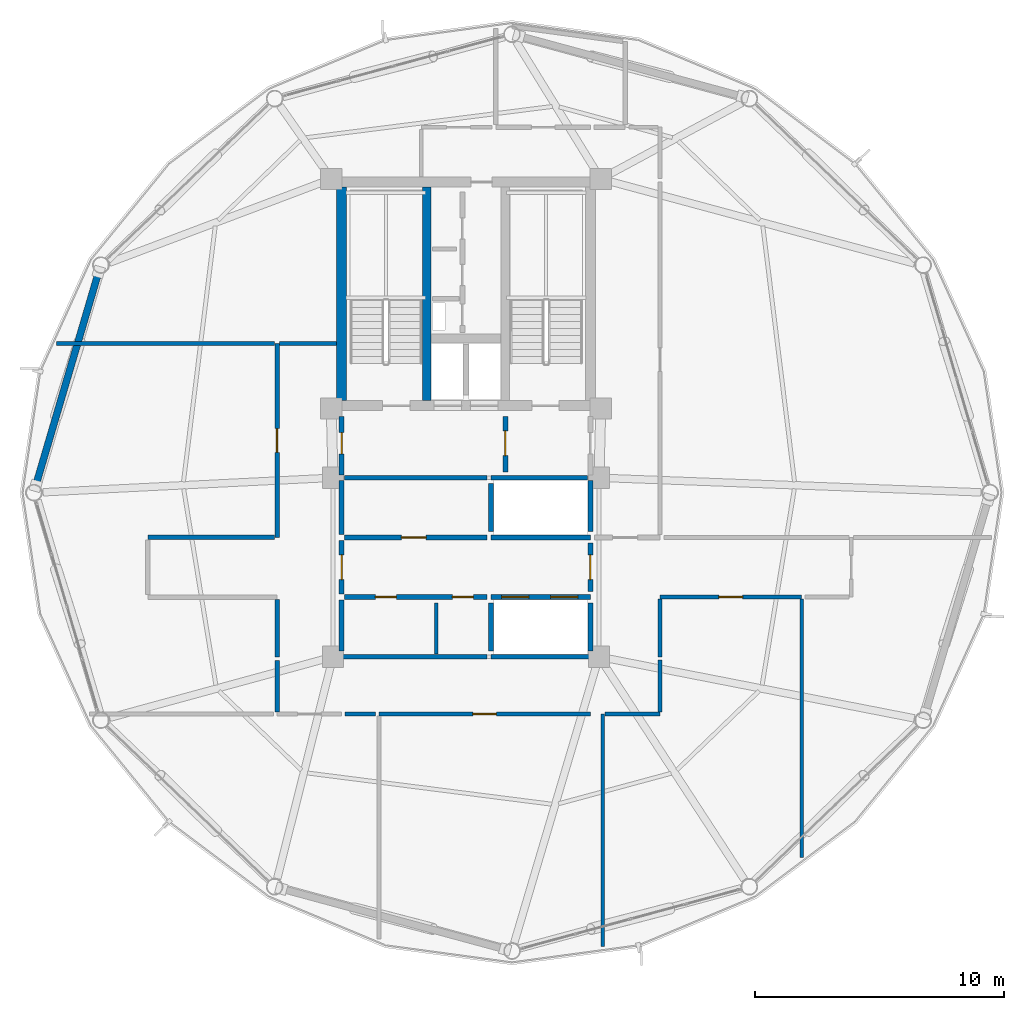
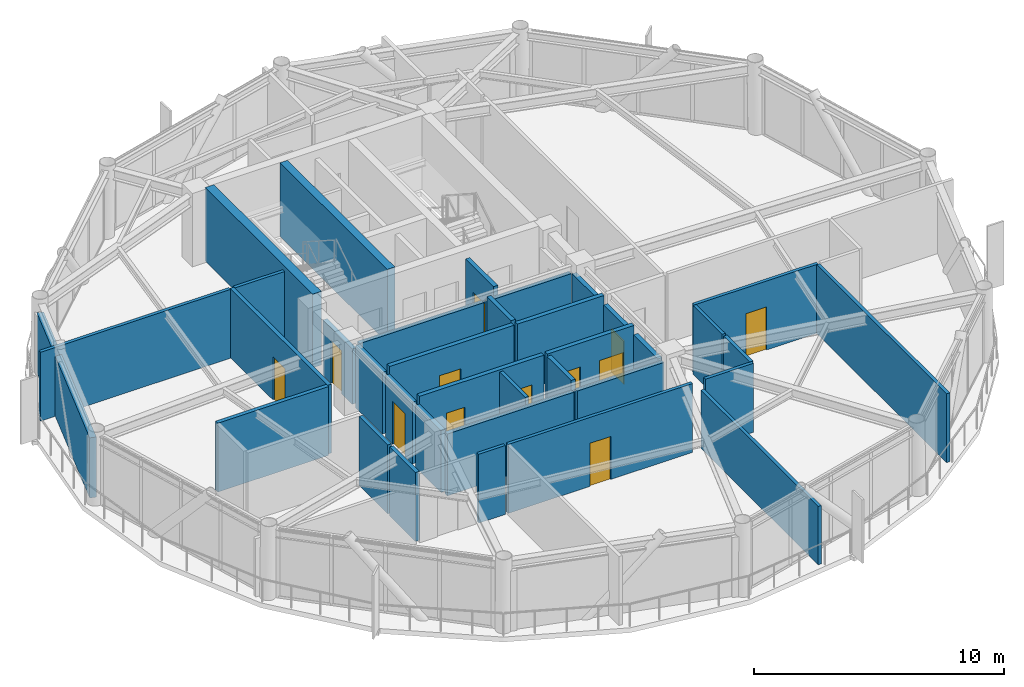
# One storey, part 23 of 28: 36 walls, 12 doors, 12 openings.
"""IFC4 building model written with IfcOpenShell, lengths in metres."""

from ifc_helpers import new_model, si_unit, direction, frame, frame_2d, origin, place, context, subcontext, project, spatial, rectangle, extrude, material, layer, layer_set, type_object, element, fill, save


model = new_model("IFC4")

# Units and contexts
model_context = context("Model", 3, precision=1e-05, world=origin(), true_north=direction((0.0, 1.0)))
body_context = subcontext(model_context, "Body", "Model", "MODEL_VIEW")
ifc_project = project(units=[si_unit("LENGTHUNIT", "METRE"), si_unit("AREAUNIT", "SQUARE_METRE"), si_unit("VOLUMEUNIT", "CUBIC_METRE"), si_unit("PLANEANGLEUNIT", "RADIAN"), si_unit("MASSUNIT", "GRAM", prefix="KILO")], contexts=[model_context])

# Site, building, storey
site_placement = place(None, origin())
site = spatial("IfcSite", under=ifc_project, at=site_placement, CompositionType="ELEMENT")
building_placement = place(site_placement, origin())
building = spatial("IfcBuilding", under=site, at=building_placement, Name="Varnakorn Sky Granary", CompositionType="ELEMENT")
storey_placement = place(building_placement, frame((0.0, 0.0, 207.60009765625)))
storey = spatial("IfcBuildingStorey", under=building, at=storey_placement, Name="L52", CompositionType="ELEMENT", Elevation=207.60009765625)

# Walls
ifc_material_1 = material(Name="Concrete C50/60", Category="concrete")
ifc_layer_1 = layer(ifc_material_1, 0.35009765625, Name="Concrete C50/60")
ifc_layer_set_1 = layer_set([ifc_layer_1], Name="Concrete C50/60")
wall_type_1 = type_object("IfcWallType", Name="WT-CW-INT-350", PredefinedType="SHEAR", material=ifc_layer_set_1)
wall_1_placement = place(storey_placement, frame((1.419921875, 3.7099609375, 0.0), z_axis=(0.0, 0.0, 1.0), x_axis=(0.0, 1.0, 0.0)))
element("IfcWall", 1, at=wall_1_placement, inside=storey, type_object=wall_type_1, Name="Stair ST-1 Core Wall L52", PredefinedType="SHEAR", context=body_context, shape_type="SweptSolid", body=[
    extrude(rectangle(XDim=8.580078125, YDim=0.35009765625, at=frame_2d((4.2900390625, 0.0))), origin(), (0.0, 0.0, 1.0), 3.591796875),
])
ifc_layer_2 = layer(ifc_material_1, 0.39990234375, Name="Concrete C50/60")
ifc_layer_set_2 = layer_set([ifc_layer_2], Name="Concrete C50/60")
wall_type_2 = type_object("IfcWallType", Name="WT-CW-SHEAR-400", PredefinedType="SHEAR", material=ifc_layer_set_2)
wall_2_placement = place(storey_placement, frame((-2.0, 3.7099609375, 0.0), z_axis=(0.0, 0.0, 1.0), x_axis=(0.0, 1.0, 0.0)))
element("IfcWall", 2, at=wall_2_placement, inside=storey, type_object=wall_type_2, Name="Core West Shear Wall L52", PredefinedType="SHEAR", context=body_context, shape_type="SweptSolid", body=[
    extrude(rectangle(XDim=8.580078125, YDim=0.39990234375, at=frame_2d((4.2900390625, 0.0))), origin(), (0.0, 0.0, 1.0), 3.591796875),
])
ifc_material_2 = material(Name="Precast concrete C40/50", Category="concrete")
ifc_layer_3 = layer(ifc_material_2, 0.280029296875, Name="Precast concrete C40/50")
ifc_layer_set_3 = layer_set([ifc_layer_3], Name="Precast concrete C40/50")
wall_type_3 = type_object("IfcWallType", Name="WT-EW-CRN-280", PredefinedType="SOLIDWALL", material=ifc_layer_set_3)
wall_3_placement = place(storey_placement, frame((-14.3095703125, 0.2734375, 0.0), z_axis=(0.0, 0.0, 1.0), x_axis=(0.282359283475, 0.959308727697, 0.0)))
element("IfcWall", 3, at=wall_3_placement, inside=storey, type_object=wall_type_3, Name="Agritech Insulated Precast Facade Wall L52-P06", PredefinedType="SOLIDWALL", context=body_context, shape_type="SweptSolid", body=[
    extrude(rectangle(XDim=8.973388671875, YDim=0.280029296875, at=frame_2d((4.48681640625, 0.0))), origin(), (0.0, 0.0, 1.0), 2.929931640625),
])

# Wall, opening, door
ifc_material_3 = material(Name="Autoclaved Aerated Concrete Blockwork", Category="masonry")
ifc_layer_4 = layer(ifc_material_3, 0.199951171875, Name="Autoclaved Aerated Concrete Blockwork")
ifc_layer_set_4 = layer_set([ifc_layer_4], Name="Autoclaved Aerated Concrete Blockwork")
wall_type_4 = type_object("IfcWallType", Name="WT-FIRE-200", PredefinedType="MOVABLE", material=ifc_layer_set_4)
wall_4_placement = place(storey_placement, frame((4.580078125, 0.830078125, 0.0), z_axis=(0.0, 0.0, 1.0), x_axis=(0.0, 1.0, 0.0)))
wall_4 = element("IfcWall", 4, at=wall_4_placement, inside=storey, type_object=wall_type_4, Name="Interior Partition Wall L52-012", PredefinedType="MOVABLE", context=body_context, shape_type="SweptSolid", body=[
    extrude(rectangle(XDim=2.239990234375, YDim=0.199951171875, at=frame_2d((1.1201171875, 0.0))), origin(), (0.0, 0.0, 1.0), 3.35986328125),
])
opening_1_placement = place(wall_4_placement, frame((0.659912109375, 0.0, 0.0)))
opening_1 = element("IfcOpeningElement", 5, at=opening_1_placement, cuts=wall_4, Name="Opening FD-60", PredefinedType="OPENING", context=body_context, shape_type="SweptSolid", body=[
    extrude(rectangle(XDim=1.0, YDim=2.10009765625, at=frame_2d((0.5, 1.050048828125))), frame((0.0, 0.10986328125, 0.0), z_axis=(0.0, -1.0, 0.0), x_axis=(1.0, 0.0, 0.0)), (0.0, 0.0, 1.0), 0.219970703125),
])
ifc_material_4 = material(Name="Acoustic Timber Fire Leaf", Category="wood")
door_type_1 = type_object("IfcDoorType", Name="DR-FD60-1000", OperationType="NOTDEFINED", PredefinedType="DOOR", material=ifc_material_4)
door_1_placement = place(opening_1_placement, origin())
door_1 = element("IfcDoor", 6, at=door_1_placement, inside=storey, type_object=door_type_1, Name="Interior Door L52-012-1", OperationType="SINGLE_SWING_LEFT", OverallHeight=2.10009765625, OverallWidth=1.0, PredefinedType="DOOR", context=body_context, shape_type="SweptSolid", body=[
    extrude(rectangle(XDim=1.0, YDim=2.10009765625, at=frame_2d((0.5, 1.050048828125))), frame((0.0, 0.02490234375, 0.0), z_axis=(0.0, -1.0, 0.0), x_axis=(1.0, 0.0, 0.0)), (0.0, 0.0, 1.0), 0.050048828125),
])
fill(opening_1, door_1)

wall_5_placement = place(storey_placement, frame((-2.0, 0.719970703125, 0.0), z_axis=(0.0, 0.0, 1.0), x_axis=(0.0, 1.0, 0.0)))
wall_5 = element("IfcWall", 7, at=wall_5_placement, inside=storey, type_object=wall_type_4, Name="Interior Partition Wall L52-013", PredefinedType="MOVABLE", context=body_context, shape_type="SweptSolid", body=[
    extrude(rectangle(XDim=2.35009765625, YDim=0.199951171875, at=frame_2d((1.175048828125, 0.0))), origin(), (0.0, 0.0, 1.0), 2.69189453125),
])
opening_2_placement = place(wall_5_placement, frame((0.844970703125, 0.0, 0.0)))
opening_2 = element("IfcOpeningElement", 8, at=opening_2_placement, cuts=wall_5, Name="Opening FD-60N", PredefinedType="OPENING", context=body_context, shape_type="SweptSolid", body=[
    extrude(rectangle(XDim=0.85009765625, YDim=2.10009765625, at=frame_2d((0.425048828125, 1.050048828125))), frame((0.0, 0.10986328125, 0.0), z_axis=(0.0, -1.0, 0.0), x_axis=(1.0, 0.0, 0.0)), (0.0, 0.0, 1.0), 0.219970703125),
])
door_type_2 = type_object("IfcDoorType", Name="DR-FD60-850", OperationType="NOTDEFINED", PredefinedType="DOOR", material=ifc_material_4)
door_2_placement = place(opening_2_placement, origin())
door_2 = element("IfcDoor", 9, at=door_2_placement, inside=storey, type_object=door_type_2, Name="Interior Door L52-013-1", OperationType="SINGLE_SWING_RIGHT", OverallHeight=2.10009765625, OverallWidth=0.85009765625, PredefinedType="DOOR", context=body_context, shape_type="SweptSolid", body=[
    extrude(rectangle(XDim=0.85009765625, YDim=2.10009765625, at=frame_2d((0.425048828125, 1.050048828125))), frame((0.0, 0.02490234375, 0.0), z_axis=(0.0, -1.0, 0.0), x_axis=(1.0, 0.0, 0.0)), (0.0, 0.0, 1.0), 0.050048828125),
])
fill(opening_2, door_2)

wall_6_placement = place(storey_placement, frame((-2.0, -4.080078125, 0.0), z_axis=(0.0, 0.0, 1.0), x_axis=(0.0, 1.0, 0.0)))
wall_6 = element("IfcWall", 10, at=wall_6_placement, inside=storey, type_object=wall_type_4, Name="Interior Partition Wall L52-015", PredefinedType="MOVABLE", context=body_context, shape_type="SweptSolid", body=[
    extrude(rectangle(XDim=2.16015625, YDim=0.199951171875, at=frame_2d((1.080078125, 0.0))), origin(), (0.0, 0.0, 1.0), 3.011962890625),
])
opening_3_placement = place(wall_6_placement, frame((0.580078125, 0.0, 0.0)))
opening_3 = element("IfcOpeningElement", 11, at=opening_3_placement, cuts=wall_6, Name="Opening FD-60", PredefinedType="OPENING", context=body_context, shape_type="SweptSolid", body=[
    extrude(rectangle(XDim=1.0, YDim=2.10009765625, at=frame_2d((0.5, 1.050048828125))), frame((0.0, 0.10986328125, 0.0), z_axis=(0.0, -1.0, 0.0), x_axis=(1.0, 0.0, 0.0)), (0.0, 0.0, 1.0), 0.219970703125),
])
door_3_placement = place(opening_3_placement, origin())
door_3 = element("IfcDoor", 12, at=door_3_placement, inside=storey, type_object=door_type_1, Name="Interior Door L52-015-1", OperationType="SINGLE_SWING_RIGHT", OverallHeight=2.10009765625, OverallWidth=1.0, PredefinedType="DOOR", context=body_context, shape_type="SweptSolid", body=[
    extrude(rectangle(XDim=1.0, YDim=2.10009765625, at=frame_2d((0.5, 1.050048828125))), frame((0.0, 0.02490234375, 0.0), z_axis=(0.0, -1.0, 0.0), x_axis=(1.0, 0.0, 0.0)), (0.0, 0.0, 1.0), 0.050048828125),
])
fill(opening_3, door_3)

wall_7_placement = place(storey_placement, frame((8.0, -3.969970703125, 0.0), z_axis=(0.0, 0.0, 1.0), x_axis=(0.0, 1.0, 0.0)))
wall_7 = element("IfcWall", 13, at=wall_7_placement, inside=storey, type_object=wall_type_4, Name="Interior Partition Wall L52-016", PredefinedType="MOVABLE", context=body_context, shape_type="SweptSolid", body=[
    extrude(rectangle(XDim=1.93994140625, YDim=0.199951171875, at=frame_2d((0.969970703125, 0.0))), origin(), (0.0, 0.0, 1.0), 3.011962890625),
])
opening_4_placement = place(wall_7_placement, frame((0.469970703125, 0.0, 0.0)))
opening_4 = element("IfcOpeningElement", 14, at=opening_4_placement, cuts=wall_7, Name="Opening FD-60", PredefinedType="OPENING", context=body_context, shape_type="SweptSolid", body=[
    extrude(rectangle(XDim=1.0, YDim=2.10009765625, at=frame_2d((0.5, 1.050048828125))), frame((0.0, 0.10986328125, 0.0), z_axis=(0.0, -1.0, 0.0), x_axis=(1.0, 0.0, 0.0)), (0.0, 0.0, 1.0), 0.219970703125),
])
door_4_placement = place(opening_4_placement, origin())
door_4 = element("IfcDoor", 15, at=door_4_placement, inside=storey, type_object=door_type_1, Name="Interior Door L52-016-1", OperationType="SINGLE_SWING_LEFT", OverallHeight=2.10009765625, OverallWidth=1.0, PredefinedType="DOOR", context=body_context, shape_type="SweptSolid", body=[
    extrude(rectangle(XDim=1.0, YDim=2.10009765625, at=frame_2d((0.5, 1.050048828125))), frame((0.0, 0.02490234375, 0.0), z_axis=(0.0, -1.0, 0.0), x_axis=(1.0, 0.0, 0.0)), (0.0, 0.0, 1.0), 0.050048828125),
])
fill(opening_4, door_4)

wall_8_placement = place(storey_placement, frame((-1.889892578125, -1.800048828125, 0.0), z_axis=(0.0, 0.0, 1.0), x_axis=(1.0, 0.0, 0.0)))
wall_8 = element("IfcWall", 16, at=wall_8_placement, inside=storey, type_object=wall_type_4, Name="Interior Partition Wall L52-017", PredefinedType="MOVABLE", context=body_context, shape_type="SweptSolid", body=[
    extrude(rectangle(XDim=5.72998046875, YDim=0.199951171875, at=frame_2d((2.864990234375, 0.0))), origin(), (0.0, 0.0, 1.0), 3.35986328125),
])
opening_5_placement = place(wall_8_placement, frame((2.2900390625, 0.0, 0.0)))
opening_5 = element("IfcOpeningElement", 17, at=opening_5_placement, cuts=wall_8, Name="Opening FD-60", PredefinedType="OPENING", context=body_context, shape_type="SweptSolid", body=[
    extrude(rectangle(XDim=1.0, YDim=2.10009765625, at=frame_2d((0.5, 1.050048828125))), frame((0.0, 0.10986328125, 0.0), z_axis=(0.0, -1.0, 0.0), x_axis=(1.0, 0.0, 0.0)), (0.0, 0.0, 1.0), 0.219970703125),
])
door_5_placement = place(opening_5_placement, origin())
door_5 = element("IfcDoor", 18, at=door_5_placement, inside=storey, type_object=door_type_1, Name="Interior Door L52-017-1", OperationType="SINGLE_SWING_RIGHT", OverallHeight=2.10009765625, OverallWidth=1.0, PredefinedType="DOOR", context=body_context, shape_type="SweptSolid", body=[
    extrude(rectangle(XDim=1.0, YDim=2.10009765625, at=frame_2d((0.5, 1.050048828125))), frame((0.0, 0.02490234375, 0.0), z_axis=(0.0, -1.0, 0.0), x_axis=(1.0, 0.0, 0.0)), (0.0, 0.0, 1.0), 0.050048828125),
])
fill(opening_5, door_5)

# Wall, openings, doors
wall_9_placement = place(storey_placement, frame((-1.889892578125, -4.199951171875, 0.0), z_axis=(0.0, 0.0, 1.0), x_axis=(1.0, 0.0, 0.0)))
wall_9 = element("IfcWall", 19, at=wall_9_placement, inside=storey, type_object=wall_type_4, Name="Interior Partition Wall L52-018", PredefinedType="MOVABLE", context=body_context, shape_type="SweptSolid", body=[
    extrude(rectangle(XDim=5.72998046875, YDim=0.199951171875, at=frame_2d((2.864990234375, 0.0))), origin(), (0.0, 0.0, 1.0), 3.35986328125),
])
opening_6_placement = place(wall_9_placement, frame((1.239990234375, 0.0, 0.0)))
opening_6 = element("IfcOpeningElement", 20, at=opening_6_placement, cuts=wall_9, Name="Opening FD-60N", PredefinedType="OPENING", context=body_context, shape_type="SweptSolid", body=[
    extrude(rectangle(XDim=0.85009765625, YDim=2.10009765625, at=frame_2d((0.425048828125, 1.050048828125))), frame((0.0, 0.10986328125, 0.0), z_axis=(0.0, -1.0, 0.0), x_axis=(1.0, 0.0, 0.0)), (0.0, 0.0, 1.0), 0.219970703125),
])
opening_7_placement = place(wall_9_placement, frame((4.340087890625, 0.0, 0.0)))
opening_7 = element("IfcOpeningElement", 21, at=opening_7_placement, cuts=wall_9, Name="Opening FD-60N", PredefinedType="OPENING", context=body_context, shape_type="SweptSolid", body=[
    extrude(rectangle(XDim=0.85009765625, YDim=2.10009765625, at=frame_2d((0.425048828125, 1.050048828125))), frame((0.0, 0.10986328125, 0.0), z_axis=(0.0, -1.0, 0.0), x_axis=(1.0, 0.0, 0.0)), (0.0, 0.0, 1.0), 0.219970703125),
])
door_6_placement = place(opening_6_placement, origin())
door_6 = element("IfcDoor", 22, at=door_6_placement, inside=storey, type_object=door_type_2, Name="Interior Door L52-018-1", OperationType="SINGLE_SWING_LEFT", OverallHeight=2.10009765625, OverallWidth=0.85009765625, PredefinedType="DOOR", context=body_context, shape_type="SweptSolid", body=[
    extrude(rectangle(XDim=0.85009765625, YDim=2.10009765625, at=frame_2d((0.425048828125, 1.050048828125))), frame((0.0, 0.02490234375, 0.0), z_axis=(0.0, -1.0, 0.0), x_axis=(1.0, 0.0, 0.0)), (0.0, 0.0, 1.0), 0.050048828125),
])
fill(opening_6, door_6)
door_7_placement = place(opening_7_placement, origin())
door_7 = element("IfcDoor", 23, at=door_7_placement, inside=storey, type_object=door_type_2, Name="Interior Door L52-018-2", OperationType="SINGLE_SWING_RIGHT", OverallHeight=2.10009765625, OverallWidth=0.85009765625, PredefinedType="DOOR", context=body_context, shape_type="SweptSolid", body=[
    extrude(rectangle(XDim=0.85009765625, YDim=2.10009765625, at=frame_2d((0.425048828125, 1.050048828125))), frame((0.0, 0.02490234375, 0.0), z_axis=(0.0, -1.0, 0.0), x_axis=(1.0, 0.0, 0.0)), (0.0, 0.0, 1.0), 0.050048828125),
])
fill(opening_7, door_7)

# Walls
wall_10_placement = place(storey_placement, frame((-1.8798828125, 0.60009765625, 0.0), z_axis=(0.0, 0.0, 1.0), x_axis=(1.0, 0.0, 0.0)))
element("IfcWall", 24, at=wall_10_placement, inside=storey, type_object=wall_type_4, Name="Interior Partition Wall L52-029", PredefinedType="MOVABLE", context=body_context, shape_type="SweptSolid", body=[
    extrude(rectangle(XDim=5.719970703125, YDim=0.199951171875, at=frame_2d((2.85986328125, 0.0))), origin(), (0.0, 0.0, 1.0), 3.011962890625),
])
wall_11_placement = place(storey_placement, frame((-2.0, -1.679931640625, 0.0), z_axis=(0.0, 0.0, 1.0), x_axis=(0.0, 1.0, 0.0)))
element("IfcWall", 25, at=wall_11_placement, inside=storey, type_object=wall_type_4, Name="Interior Partition Wall L52-030", PredefinedType="MOVABLE", context=body_context, shape_type="SweptSolid", body=[
    extrude(rectangle(XDim=2.159912109375, YDim=0.199951171875, at=frame_2d((1.080078125, 0.0))), origin(), (0.0, 0.0, 1.0), 3.011962890625),
])
wall_12_placement = place(storey_placement, frame((-2.0, -6.60009765625, 0.0), z_axis=(0.0, 0.0, 1.0), x_axis=(1.0, 0.0, 0.0)))
element("IfcWall", 26, at=wall_12_placement, inside=storey, type_object=wall_type_4, Name="Interior Partition Wall L52-032", PredefinedType="MOVABLE", context=body_context, shape_type="SweptSolid", body=[
    extrude(rectangle(XDim=5.840087890625, YDim=0.199951171875, at=frame_2d((2.919921875, 0.0))), origin(), (0.0, 0.0, 1.0), 3.011962890625),
])
wall_13_placement = place(storey_placement, frame((-2.0, -6.3701171875, 0.0), z_axis=(0.0, 0.0, 1.0), x_axis=(0.0, 1.0, 0.0)))
element("IfcWall", 27, at=wall_13_placement, inside=storey, type_object=wall_type_4, Name="Interior Partition Wall L52-033", PredefinedType="MOVABLE", context=body_context, shape_type="SweptSolid", body=[
    extrude(rectangle(XDim=2.050048828125, YDim=0.199951171875, at=frame_2d((1.02490234375, 0.0))), origin(), (0.0, 0.0, 1.0), 3.011962890625),
])

# Wall, opening, door
ifc_material_5 = material(Name="Gypsum Plasterboard on Steel Stud", Category="steel")
ifc_layer_5 = layer(ifc_material_5, 0.14990234375, Name="Gypsum Plasterboard on Steel Stud")
ifc_layer_set_5 = layer_set([ifc_layer_5], Name="Gypsum Plasterboard on Steel Stud")
wall_type_5 = type_object("IfcWallType", Name="WT-PART-150", PredefinedType="PARTITIONING", material=ifc_layer_set_5)
wall_14_placement = place(storey_placement, frame((-0.5, -8.89990234375, 0.0), z_axis=(0.0, 0.0, 1.0), x_axis=(1.0, 0.0, 0.0)))
wall_14 = element("IfcWall", 28, at=wall_14_placement, inside=storey, type_object=wall_type_5, Name="Interior Partition Wall L52-022", PredefinedType="PARTITIONING", context=body_context, shape_type="SweptSolid", body=[
    extrude(rectangle(XDim=8.5, YDim=0.14990234375, at=frame_2d((4.25, 0.0))), origin(), (0.0, 0.0, 1.0), 3.35986328125),
])
opening_8_placement = place(wall_14_placement, frame((3.77490234375, 0.0, 0.0)))
opening_8 = element("IfcOpeningElement", 29, at=opening_8_placement, cuts=wall_14, Name="Opening ID-95", PredefinedType="OPENING", context=body_context, shape_type="SweptSolid", body=[
    extrude(rectangle(XDim=0.949951171875, YDim=2.10009765625, at=frame_2d((0.47509765625, 1.050048828125))), frame((0.0, 0.0849609375, 0.0), z_axis=(0.0, -1.0, 0.0), x_axis=(1.0, 0.0, 0.0)), (0.0, 0.0, 1.0), 0.169921875),
])
ifc_material_6 = material(Name="Solid-Core Teak Veneer Leaf", Category="timber")
door_type_3 = type_object("IfcDoorType", Name="DR-INT-950", OperationType="NOTDEFINED", PredefinedType="DOOR", material=ifc_material_6)
door_8_placement = place(opening_8_placement, origin())
door_8 = element("IfcDoor", 30, at=door_8_placement, inside=storey, type_object=door_type_3, Name="Interior Door L52-022-1", OperationType="SINGLE_SWING_RIGHT", OverallHeight=2.10009765625, OverallWidth=0.949951171875, PredefinedType="DOOR", context=body_context, shape_type="SweptSolid", body=[
    extrude(rectangle(XDim=0.949951171875, YDim=2.10009765625, at=frame_2d((0.47509765625, 1.050048828125))), frame((0.0, 0.02490234375, 0.0), z_axis=(0.0, -1.0, 0.0), x_axis=(1.0, 0.0, 0.0)), (0.0, 0.0, 1.0), 0.050048828125),
])
fill(opening_8, door_8)

wall_15_placement = place(storey_placement, frame((10.800048828125, -4.199951171875, 0.0), z_axis=(0.0, 0.0, 1.0), x_axis=(1.0, 0.0, 0.0)))
wall_15 = element("IfcWall", 31, at=wall_15_placement, inside=storey, type_object=wall_type_5, Name="Interior Partition Wall L52-023", PredefinedType="PARTITIONING", context=body_context, shape_type="SweptSolid", body=[
    extrude(rectangle(XDim=5.699951171875, YDim=0.14990234375, at=frame_2d((2.85009765625, 0.0))), origin(), (0.0, 0.0, 1.0), 3.35986328125),
])
opening_9_placement = place(wall_15_placement, frame((2.375, 0.0, 0.0)))
opening_9 = element("IfcOpeningElement", 32, at=opening_9_placement, cuts=wall_15, Name="Opening ID-95", PredefinedType="OPENING", context=body_context, shape_type="SweptSolid", body=[
    extrude(rectangle(XDim=0.949951171875, YDim=2.10009765625, at=frame_2d((0.47509765625, 1.050048828125))), frame((0.0, 0.0849609375, 0.0), z_axis=(0.0, -1.0, 0.0), x_axis=(1.0, 0.0, 0.0)), (0.0, 0.0, 1.0), 0.169921875),
])
door_9_placement = place(opening_9_placement, origin())
door_9 = element("IfcDoor", 33, at=door_9_placement, inside=storey, type_object=door_type_3, Name="Interior Door L52-023-1", OperationType="SINGLE_SWING_LEFT", OverallHeight=2.10009765625, OverallWidth=0.949951171875, PredefinedType="DOOR", context=body_context, shape_type="SweptSolid", body=[
    extrude(rectangle(XDim=0.949951171875, YDim=2.10009765625, at=frame_2d((0.47509765625, 1.050048828125))), frame((0.0, 0.02490234375, 0.0), z_axis=(0.0, -1.0, 0.0), x_axis=(1.0, 0.0, 0.0)), (0.0, 0.0, 1.0), 0.050048828125),
])
fill(opening_9, door_9)

# Walls
wall_16_placement = place(storey_placement, frame((1.800048828125, -6.47998046875, 0.0), z_axis=(0.0, 0.0, 1.0), x_axis=(0.0, 1.0, 0.0)))
element("IfcWall", 34, at=wall_16_placement, inside=storey, type_object=wall_type_5, Name="Interior Partition Wall L52-031", PredefinedType="PARTITIONING", context=body_context, shape_type="SweptSolid", body=[
    extrude(rectangle(XDim=2.050048828125, YDim=0.14990234375, at=frame_2d((1.02490234375, 0.0))), origin(), (0.0, 0.0, 1.0), 3.35986328125),
])
wall_17_placement = place(storey_placement, frame((-1.864990234375, -8.89990234375, 0.0), z_axis=(0.0, 0.0, 1.0), x_axis=(1.0, 0.0, 0.0)))
element("IfcWall", 35, at=wall_17_placement, inside=storey, type_object=wall_type_5, Name="Interior Partition Wall L52-035", PredefinedType="PARTITIONING", context=body_context, shape_type="SweptSolid", body=[
    extrude(rectangle(XDim=1.22998046875, YDim=0.14990234375, at=frame_2d((0.614990234375, 0.0))), origin(), (0.0, 0.0, 1.0), 3.35986328125),
])
wall_18_placement = place(storey_placement, frame((8.5, -8.89990234375, 0.0), z_axis=(0.0, 0.0, 1.0), x_axis=(0.0, -1.0, 0.0)))
element("IfcWall", 36, at=wall_18_placement, inside=storey, type_object=wall_type_5, Name="Interior Partition Wall L52-038", PredefinedType="PARTITIONING", context=body_context, shape_type="SweptSolid", body=[
    extrude(rectangle(XDim=9.362060546875, YDim=0.14990234375, at=frame_2d((4.68115234375, 0.0))), origin(), (0.0, 0.0, 1.0), 2.841796875),
])
wall_19_placement = place(storey_placement, frame((10.800048828125, -6.60009765625, 0.0), z_axis=(0.0, 0.0, 1.0), x_axis=(0.0, 1.0, 0.0)))
element("IfcWall", 37, at=wall_19_placement, inside=storey, type_object=wall_type_5, Name="Interior Partition Wall L52-039", PredefinedType="PARTITIONING", context=body_context, shape_type="SweptSolid", body=[
    extrude(rectangle(XDim=2.315185546875, YDim=0.14990234375, at=frame_2d((1.15771484375, 0.0))), origin(), (0.0, 0.0, 1.0), 3.35986328125),
])
wall_20_placement = place(storey_placement, frame((8.5849609375, -8.89990234375, 0.0), z_axis=(0.0, 0.0, 1.0), x_axis=(1.0, 0.0, 0.0)))
element("IfcWall", 38, at=wall_20_placement, inside=storey, type_object=wall_type_5, Name="Interior Partition Wall L52-040", PredefinedType="PARTITIONING", context=body_context, shape_type="SweptSolid", body=[
    extrude(rectangle(XDim=2.215087890625, YDim=0.14990234375, at=frame_2d((1.107421875, 0.0))), origin(), (0.0, 0.0, 1.0), 3.35986328125),
])
wall_21_placement = place(storey_placement, frame((10.800048828125, -8.81494140625, 0.0), z_axis=(0.0, 0.0, 1.0), x_axis=(0.0, 1.0, 0.0)))
element("IfcWall", 39, at=wall_21_placement, inside=storey, type_object=wall_type_5, Name="Interior Partition Wall L52-041", PredefinedType="PARTITIONING", context=body_context, shape_type="SweptSolid", body=[
    extrude(rectangle(XDim=2.079833984375, YDim=0.14990234375, at=frame_2d((1.0400390625, 0.0))), origin(), (0.0, 0.0, 1.0), 3.35986328125),
])
wall_22_placement = place(storey_placement, frame((16.5, -4.284912109375, 0.0), z_axis=(0.0, 0.0, 1.0), x_axis=(0.0, -1.0, 0.0)))
element("IfcWall", 40, at=wall_22_placement, inside=storey, type_object=wall_type_5, Name="Interior Partition Wall L52-042", PredefinedType="PARTITIONING", context=body_context, shape_type="SweptSolid", body=[
    extrude(rectangle(XDim=10.384033203125, YDim=0.14990234375, at=frame_2d((5.19189453125, 0.0))), origin(), (0.0, 0.0, 1.0), 3.35986328125),
])
wall_23_placement = place(storey_placement, frame((-13.465087890625, 6.0, 0.0), z_axis=(0.0, 0.0, 1.0), x_axis=(1.0, 0.0, 0.0)))
element("IfcWall", 41, at=wall_23_placement, inside=storey, type_object=wall_type_5, Name="Interior Partition Wall L52-050", PredefinedType="PARTITIONING", context=body_context, shape_type="SweptSolid", body=[
    extrude(rectangle(XDim=8.76513671875, YDim=0.14990234375, at=frame_2d((4.382568359375, 0.0))), origin(), (0.0, 0.0, 1.0), 3.35986328125),
])
wall_24_placement = place(storey_placement, frame((-2.2099609375, 6.0, 0.0), z_axis=(0.0, 0.0, 1.0), x_axis=(-1.0, 0.0, 0.0)))
element("IfcWall", 42, at=wall_24_placement, inside=storey, type_object=wall_type_5, Name="Interior Partition Wall L52-052", PredefinedType="PARTITIONING", context=body_context, shape_type="SweptSolid", body=[
    extrude(rectangle(XDim=2.2900390625, YDim=0.14990234375, at=frame_2d((1.14501953125, 0.0))), origin(), (0.0, 0.0, 1.0), 3.35986328125),
])

# Wall, opening, door
ifc_material_7 = material(Name="Moisture-Resistant Gypsum on Stud", Category="gypsum")
ifc_layer_6 = layer(ifc_material_7, 0.179931640625, Name="Moisture-Resistant Gypsum on Stud")
ifc_layer_set_6 = layer_set([ifc_layer_6], Name="Moisture-Resistant Gypsum on Stud")
wall_type_6 = type_object("IfcWallType", Name="WT-PLUMB-180", PredefinedType="PLUMBINGWALL", material=ifc_layer_set_6)
wall_25_placement = place(storey_placement, frame((-4.60009765625, 6.0, 0.0), z_axis=(0.0, 0.0, 1.0), x_axis=(0.0, -1.0, 0.0)))
wall_25 = element("IfcWall", 43, at=wall_25_placement, inside=storey, type_object=wall_type_6, Name="Interior Partition Wall L52-025", PredefinedType="PLUMBINGWALL", context=body_context, shape_type="SweptSolid", body=[
    extrude(rectangle(XDim=7.800048828125, YDim=0.179931640625, at=frame_2d((3.89990234375, 0.0))), origin(), (0.0, 0.0, 1.0), 3.35986328125),
])
opening_10_placement = place(wall_25_placement, frame((3.425048828125, 0.0, 0.0)))
opening_10 = element("IfcOpeningElement", 44, at=opening_10_placement, cuts=wall_25, Name="Opening ID-95", PredefinedType="OPENING", context=body_context, shape_type="SweptSolid", body=[
    extrude(rectangle(XDim=0.949951171875, YDim=2.10009765625, at=frame_2d((0.47509765625, 1.050048828125))), frame((0.0, 0.10009765625, 0.0), z_axis=(0.0, -1.0, 0.0), x_axis=(1.0, 0.0, 0.0)), (0.0, 0.0, 1.0), 0.199951171875),
])
door_10_placement = place(opening_10_placement, origin())
door_10 = element("IfcDoor", 45, at=door_10_placement, inside=storey, type_object=door_type_3, Name="Interior Door L52-025-1", OperationType="SINGLE_SWING_LEFT", OverallHeight=2.10009765625, OverallWidth=0.949951171875, PredefinedType="DOOR", context=body_context, shape_type="SweptSolid", body=[
    extrude(rectangle(XDim=0.949951171875, YDim=2.10009765625, at=frame_2d((0.47509765625, 1.050048828125))), frame((0.0, 0.02490234375, 0.0), z_axis=(0.0, -1.0, 0.0), x_axis=(1.0, 0.0, 0.0)), (0.0, 0.0, 1.0), 0.050048828125),
])
fill(opening_10, door_10)

# Walls
wall_26_placement = place(storey_placement, frame((-4.699951171875, -1.800048828125, 0.0), z_axis=(0.0, 0.0, 1.0), x_axis=(-1.0, 0.0, 0.0)))
element("IfcWall", 46, at=wall_26_placement, inside=storey, type_object=wall_type_6, Name="Interior Partition Wall L52-045", PredefinedType="PLUMBINGWALL", context=body_context, shape_type="SweptSolid", body=[
    extrude(rectangle(XDim=5.10009765625, YDim=0.179931640625, at=frame_2d((2.550048828125, 0.0))), origin(), (0.0, 0.0, 1.0), 3.35986328125),
])
wall_27_placement = place(storey_placement, frame((-4.60009765625, -4.300048828125, 0.0), z_axis=(0.0, 0.0, 1.0), x_axis=(0.0, -1.0, 0.0)))
element("IfcWall", 47, at=wall_27_placement, inside=storey, type_object=wall_type_6, Name="Interior Partition Wall L52-048", PredefinedType="PLUMBINGWALL", context=body_context, shape_type="SweptSolid", body=[
    extrude(rectangle(XDim=2.300048828125, YDim=0.179931640625, at=frame_2d((1.14990234375, 0.0))), origin(), (0.0, 0.0, 1.0), 3.35986328125),
])
wall_28_placement = place(storey_placement, frame((-4.60009765625, -6.75, 0.0), z_axis=(0.0, 0.0, 1.0), x_axis=(0.0, -1.0, 0.0)))
element("IfcWall", 48, at=wall_28_placement, inside=storey, type_object=wall_type_6, Name="Interior Partition Wall L52-049", PredefinedType="PLUMBINGWALL", context=body_context, shape_type="SweptSolid", body=[
    extrude(rectangle(XDim=2.06494140625, YDim=0.179931640625, at=frame_2d((1.032470703125, 0.0))), origin(), (0.0, 0.0, 1.0), 3.35986328125),
])
ifc_layer_7 = layer(ifc_material_3, 0.199951171875, Name="Autoclaved Aerated Concrete Blockwork")
ifc_layer_set_7 = layer_set([ifc_layer_7], Name="Autoclaved Aerated Concrete Blockwork")
wall_type_7 = type_object("IfcWallType", Name="WT-SHAFT-200", PredefinedType="SOLIDWALL", material=ifc_layer_set_7)
wall_29_placement = place(storey_placement, frame((4.0, 0.60009765625, 0.0), z_axis=(0.0, 0.0, 1.0), x_axis=(1.0, 0.0, 0.0)))
element("IfcWall", 49, at=wall_29_placement, inside=storey, type_object=wall_type_7, Name="Interior Partition Wall L52-003", PredefinedType="SOLIDWALL", context=body_context, shape_type="SweptSolid", body=[
    extrude(rectangle(XDim=3.8798828125, YDim=0.199951171875, at=frame_2d((1.93994140625, 0.0))), origin(), (0.0, 0.0, 1.0), 3.011962890625),
])
wall_30_placement = place(storey_placement, frame((4.0, -1.800048828125, 0.0), z_axis=(0.0, 0.0, 1.0), x_axis=(1.0, 0.0, 0.0)))
element("IfcWall", 50, at=wall_30_placement, inside=storey, type_object=wall_type_7, Name="Interior Partition Wall L52-004", PredefinedType="SOLIDWALL", context=body_context, shape_type="SweptSolid", body=[
    extrude(rectangle(XDim=4.0, YDim=0.199951171875, at=frame_2d((2.0, 0.0))), origin(), (0.0, 0.0, 1.0), 3.35986328125),
])
wall_31_placement = place(storey_placement, frame((4.0, -1.570068359375, 0.0), z_axis=(0.0, 0.0, 1.0), x_axis=(0.0, 1.0, 0.0)))
element("IfcWall", 51, at=wall_31_placement, inside=storey, type_object=wall_type_7, Name="Interior Partition Wall L52-005", PredefinedType="SOLIDWALL", context=body_context, shape_type="SweptSolid", body=[
    extrude(rectangle(XDim=1.940185546875, YDim=0.199951171875, at=frame_2d((0.97021484375, 0.0))), origin(), (0.0, 0.0, 1.0), 3.35986328125),
])
wall_32_placement = place(storey_placement, frame((8.0, -1.570068359375, 0.0), z_axis=(0.0, 0.0, 1.0), x_axis=(0.0, 1.0, 0.0)))
element("IfcWall", 52, at=wall_32_placement, inside=storey, type_object=wall_type_7, Name="Interior Partition Wall L52-006", PredefinedType="SOLIDWALL", context=body_context, shape_type="SweptSolid", body=[
    extrude(rectangle(XDim=2.050048828125, YDim=0.199951171875, at=frame_2d((1.02490234375, 0.0))), origin(), (0.0, 0.0, 1.0), 3.011962890625),
])

# Wall, openings, doors
wall_33_placement = place(storey_placement, frame((4.0, -4.199951171875, 0.0), z_axis=(0.0, 0.0, 1.0), x_axis=(1.0, 0.0, 0.0)))
wall_33 = element("IfcWall", 53, at=wall_33_placement, inside=storey, type_object=wall_type_7, Name="Interior Partition Wall L52-007", PredefinedType="SOLIDWALL", context=body_context, shape_type="SweptSolid", body=[
    extrude(rectangle(XDim=4.0, YDim=0.199951171875, at=frame_2d((2.0, 0.0))), origin(), (0.0, 0.0, 1.0), 3.35986328125),
])
opening_11_placement = place(wall_33_placement, frame((0.429931640625, 0.0, 0.0)))
opening_11 = element("IfcOpeningElement", 54, at=opening_11_placement, cuts=wall_33, Name="Opening LD-01", PredefinedType="OPENING", context=body_context, shape_type="SweptSolid", body=[
    extrude(rectangle(XDim=1.10009765625, YDim=2.199951171875, at=frame_2d((0.550048828125, 1.10009765625))), frame((0.0, 0.10986328125, 0.0), z_axis=(0.0, -1.0, 0.0), x_axis=(1.0, 0.0, 0.0)), (0.0, 0.0, 1.0), 0.219970703125),
])
opening_12_placement = place(wall_33_placement, frame((2.39990234375, 0.0, 0.0)))
opening_12 = element("IfcOpeningElement", 55, at=opening_12_placement, cuts=wall_33, Name="Opening LD-01", PredefinedType="OPENING", context=body_context, shape_type="SweptSolid", body=[
    extrude(rectangle(XDim=1.10009765625, YDim=2.199951171875, at=frame_2d((0.550048828125, 1.10009765625))), frame((0.0, 0.10986328125, 0.0), z_axis=(0.0, -1.0, 0.0), x_axis=(1.0, 0.0, 0.0)), (0.0, 0.0, 1.0), 0.219970703125),
])
ifc_material_8 = material(Name="Brushed Bronze Stainless Steel", Category="steel")
door_type_4 = type_object("IfcDoorType", Name="DR-LD-1100", OperationType="DOUBLE_DOOR_SLIDING", PredefinedType="DOOR", material=ifc_material_8)
door_11_placement = place(opening_11_placement, origin())
door_11 = element("IfcDoor", 56, at=door_11_placement, inside=storey, type_object=door_type_4, Name="Passenger Lift PL-H1 Sliding Landing Door L52", OperationType="DOUBLE_DOOR_SLIDING", OverallHeight=2.199951171875, OverallWidth=1.10009765625, PredefinedType="DOOR", context=body_context, shape_type="SweptSolid", body=[
    extrude(rectangle(XDim=1.10009765625, YDim=2.199951171875, at=frame_2d((0.550048828125, 1.10009765625))), frame((0.0, 0.02490234375, 0.0), z_axis=(0.0, -1.0, 0.0), x_axis=(1.0, 0.0, 0.0)), (0.0, 0.0, 1.0), 0.050048828125),
])
fill(opening_11, door_11)
door_12_placement = place(opening_12_placement, origin())
door_12 = element("IfcDoor", 57, at=door_12_placement, inside=storey, type_object=door_type_4, Name="Passenger Lift PL-H2 Sliding Landing Door L52", OperationType="DOUBLE_DOOR_SLIDING", OverallHeight=2.199951171875, OverallWidth=1.10009765625, PredefinedType="DOOR", context=body_context, shape_type="SweptSolid", body=[
    extrude(rectangle(XDim=1.10009765625, YDim=2.199951171875, at=frame_2d((0.550048828125, 1.10009765625))), frame((0.0, 0.02490234375, 0.0), z_axis=(0.0, -1.0, 0.0), x_axis=(1.0, 0.0, 0.0)), (0.0, 0.0, 1.0), 0.050048828125),
])
fill(opening_12, door_12)

# Walls
wall_34_placement = place(storey_placement, frame((4.0, -6.60009765625, 0.0), z_axis=(0.0, 0.0, 1.0), x_axis=(1.0, 0.0, 0.0)))
element("IfcWall", 58, at=wall_34_placement, inside=storey, type_object=wall_type_7, Name="Interior Partition Wall L52-008", PredefinedType="SOLIDWALL", context=body_context, shape_type="SweptSolid", body=[
    extrude(rectangle(XDim=4.0, YDim=0.199951171875, at=frame_2d((2.0, 0.0))), origin(), (0.0, 0.0, 1.0), 3.011962890625),
])
wall_35_placement = place(storey_placement, frame((4.0, -6.3701171875, 0.0), z_axis=(0.0, 0.0, 1.0), x_axis=(0.0, 1.0, 0.0)))
element("IfcWall", 59, at=wall_35_placement, inside=storey, type_object=wall_type_7, Name="Interior Partition Wall L52-009", PredefinedType="SOLIDWALL", context=body_context, shape_type="SweptSolid", body=[
    extrude(rectangle(XDim=1.940185546875, YDim=0.199951171875, at=frame_2d((0.97021484375, 0.0))), origin(), (0.0, 0.0, 1.0), 3.35986328125),
])
wall_36_placement = place(storey_placement, frame((8.0, -6.3701171875, 0.0), z_axis=(0.0, 0.0, 1.0), x_axis=(0.0, 1.0, 0.0)))
element("IfcWall", 60, at=wall_36_placement, inside=storey, type_object=wall_type_7, Name="Interior Partition Wall L52-010", PredefinedType="SOLIDWALL", context=body_context, shape_type="SweptSolid", body=[
    extrude(rectangle(XDim=1.940185546875, YDim=0.199951171875, at=frame_2d((0.97021484375, 0.0))), origin(), (0.0, 0.0, 1.0), 3.011962890625),
])

save(model, "model.ifc")
